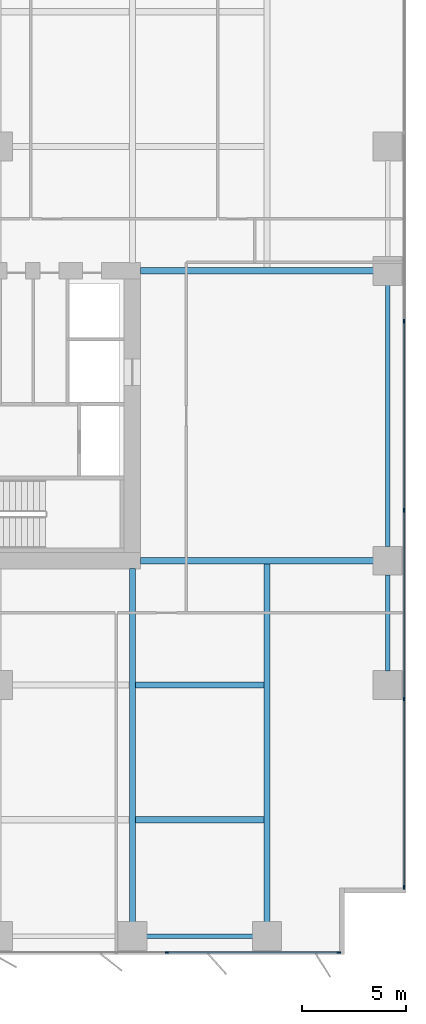
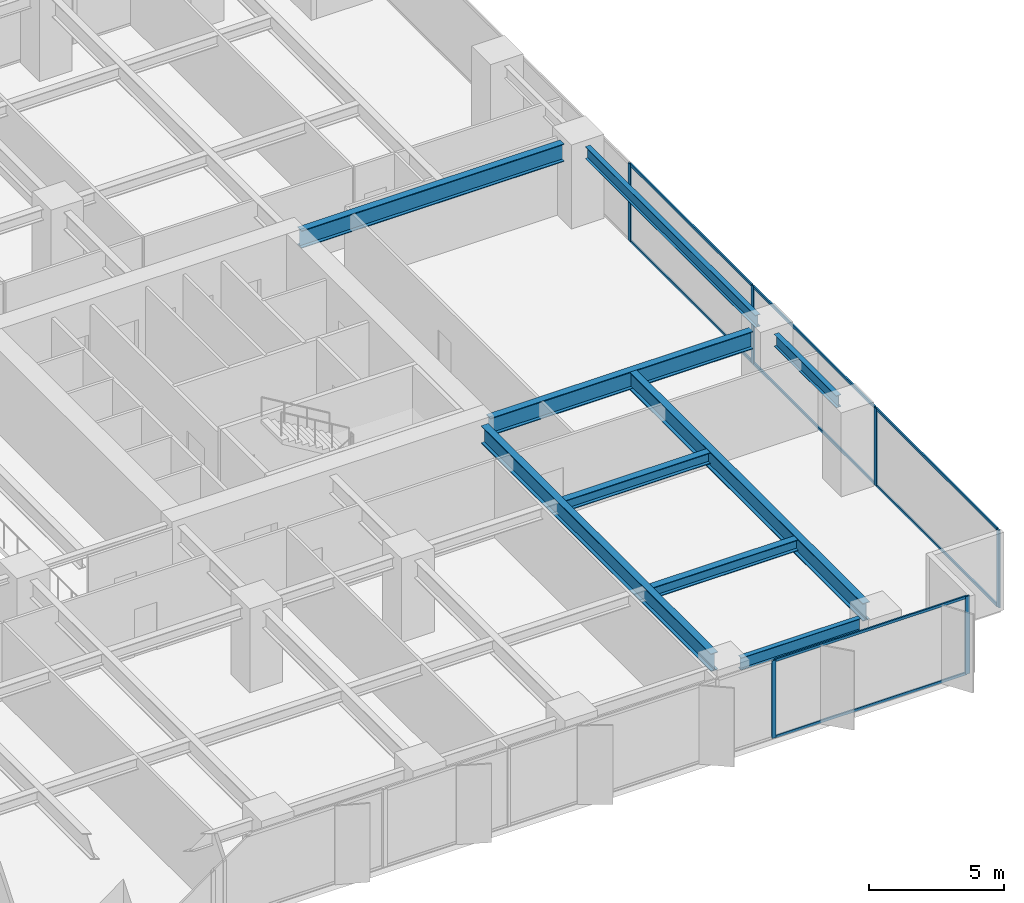
# One storey, part 10 of 20: 14 members, 9 beams, 2 elements without a shape of their own.
"""IFC4 building model written with IfcOpenShell, lengths in metres."""

from ifc_helpers import new_model, si_unit, direction, frame, origin, origin_2d, place, context, subcontext, project, spatial, rectangle, i_section, extrude, material, layer, layer_set, material_profile, profile_set, type_object, element, aggregate, save


model = new_model("IFC4")

# Units and contexts
model_context = context("Model", 3, precision=1e-05, world=origin(), true_north=direction((0.0, 1.0)))
body_context = subcontext(model_context, "Body", "Model", "MODEL_VIEW")
ifc_project = project(units=[si_unit("LENGTHUNIT", "METRE"), si_unit("AREAUNIT", "SQUARE_METRE"), si_unit("VOLUMEUNIT", "CUBIC_METRE"), si_unit("PLANEANGLEUNIT", "RADIAN"), si_unit("MASSUNIT", "GRAM", prefix="KILO")], contexts=[model_context])

# Site, building, storey
site_placement = place(None, origin())
site = spatial("IfcSite", under=ifc_project, at=site_placement, CompositionType="ELEMENT")
building_placement = place(site_placement, origin())
building = spatial("IfcBuilding", under=site, at=building_placement, Name="Putna Gate Headquarters", CompositionType="ELEMENT")
storey_placement = place(building_placement, frame((0.0, 0.0, 77.199951171875)))
storey = spatial("IfcBuildingStorey", under=building, at=storey_placement, Name="L18", CompositionType="ELEMENT", Elevation=77.199951171875)

# Beams
ifc_material_1 = material(Name="Steel S355J2", Category="steel")
ifc_material_profile_1 = material_profile(ifc_material_1, i_section(OverallWidth=0.300048828125, OverallDepth=0.800048828125, WebThickness=0.017578125, FlangeThickness=0.032958984375, at=origin_2d()), Name="Steel S355J2")
ifc_profile_set_1 = profile_set([ifc_material_profile_1], Name="Steel S355J2")
beam_type_1 = type_object("IfcBeamType", Name="BM-GIRD-P-HEB800", PredefinedType="USERDEFINED", material=ifc_profile_set_1)
for number, where, z_axis, x_axis, name in (
    (1, (65.385009765625, 19.0, 3.1201171875), (1.0, 0.0, 0.0), (0.0, 1.0, 0.0), "L18 East Wing Girder Y19"),
    (2, (65.385009765625, 33.0, 3.1201171875), (1.0, 0.0, 0.0), (0.0, 1.0, 0.0), "L18 East Wing Girder Y33"),
):
    element("IfcBeam", number, at=place(storey_placement, frame(where, z_axis=z_axis, x_axis=x_axis)), inside=storey, type_object=beam_type_1, Name=name, ObjectType="GIRDER", PredefinedType="USERDEFINED", context=body_context, shape_type="SweptSolid", body=[
        extrude(i_section(OverallWidth=0.300048828125, OverallDepth=0.800048828125, WebThickness=0.017578125, FlangeThickness=0.032958984375, at=origin_2d()), origin(), (0.0, 0.0, 1.0), 11.2470703125),
    ])
beam_1_placement = place(storey_placement, frame((65.0, 1.568115234375, 3.1201171875), z_axis=(0.0, 1.0, 0.0), x_axis=(-1.0, 0.0, 0.0)))
element("IfcBeam", 3, at=beam_1_placement, inside=storey, type_object=beam_type_1, Name="L18 South Primary Girder X65", ObjectType="GIRDER", PredefinedType="USERDEFINED", context=body_context, shape_type="SweptSolid", body=[
    extrude(i_section(OverallWidth=0.300048828125, OverallDepth=0.800048828125, WebThickness=0.017578125, FlangeThickness=0.032958984375, at=origin_2d()), origin(), (0.0, 0.0, 1.0), 17.046875),
])
beam_2_placement = place(storey_placement, frame((71.5, 1.568115234375, 3.1201171875), z_axis=(0.0, 1.0, 0.0), x_axis=(-1.0, 0.0, 0.0)))
element("IfcBeam", 4, at=beam_2_placement, inside=storey, type_object=beam_type_1, Name="L18 South Primary Girder X71", ObjectType="GIRDER", PredefinedType="USERDEFINED", context=body_context, shape_type="SweptSolid", body=[
    extrude(i_section(OverallWidth=0.300048828125, OverallDepth=0.800048828125, WebThickness=0.017578125, FlangeThickness=0.032958984375, at=origin_2d()), origin(), (0.0, 0.0, 1.0), 17.419921875),
])
ifc_material_profile_2 = material_profile(ifc_material_1, i_section(OverallWidth=0.300048828125, OverallDepth=0.5, WebThickness=0.014404296875, FlangeThickness=0.028076171875, at=origin_2d()), Name="Steel S355J2")
ifc_profile_set_2 = profile_set([ifc_material_profile_2], Name="Steel S355J2")
beam_type_2 = type_object("IfcBeamType", Name="BM-GIRD-Z4-HEB500", PredefinedType="USERDEFINED", material=ifc_profile_set_2)
for number, where, z_axis, x_axis, name in (
    (5, (65.154052734375, 6.5, 3.27001953125), (1.0, 0.0, 0.0), (0.0, 1.0, 0.0), "L18 South Secondary Beam 10"),
    (6, (65.154052734375, 13.0, 3.27001953125), (1.0, 0.0, 0.0), (0.0, 1.0, 0.0), "L18 South Secondary Beam 10"),
):
    element("IfcBeam", number, at=place(storey_placement, frame(where, z_axis=z_axis, x_axis=x_axis)), inside=storey, type_object=beam_type_2, Name=name, ObjectType="GIRDER", PredefinedType="USERDEFINED", context=body_context, shape_type="SweptSolid", body=[
        extrude(i_section(OverallWidth=0.300048828125, OverallDepth=0.5, WebThickness=0.014404296875, FlangeThickness=0.028076171875, at=origin_2d()), origin(), (0.0, 0.0, 1.0), 6.19189453125),
    ])
ifc_material_profile_3 = material_profile(ifc_material_1, i_section(OverallWidth=0.2099609375, OverallDepth=0.550048828125, WebThickness=0.010986328125, FlangeThickness=0.01708984375, at=origin_2d()), Name="Steel S355J2")
ifc_profile_set_3 = profile_set([ifc_material_profile_3], Name="Steel S355J2")
beam_type_3 = type_object("IfcBeamType", Name="BM-SPAN-Z1-IPE550", PredefinedType="SPANDREL", material=ifc_profile_set_3)
beam_3_placement = place(storey_placement, frame((65.68798828125, 0.8798828125, 3.2451171875), z_axis=(1.0, 0.0, 0.0), x_axis=(0.0, 1.0, 0.0)))
element("IfcBeam", 7, at=beam_3_placement, inside=storey, type_object=beam_type_3, Name="L18 S Perimeter Spandrel 10", PredefinedType="SPANDREL", context=body_context, shape_type="SweptSolid", body=[
    extrude(i_section(OverallWidth=0.2099609375, OverallDepth=0.550048828125, WebThickness=0.010986328125, FlangeThickness=0.01708984375, at=origin_2d()), origin(), (0.0, 0.0, 1.0), 5.1240234375),
])
beam_4_placement = place(storey_placement, frame((77.320068359375, 13.68798828125, 3.2451171875), z_axis=(0.0, 1.0, 0.0), x_axis=(-1.0, 0.0, 0.0)))
element("IfcBeam", 8, at=beam_4_placement, inside=storey, type_object=beam_type_3, Name="L18 E End Spandrel 1", PredefinedType="SPANDREL", context=body_context, shape_type="SweptSolid", body=[
    extrude(i_section(OverallWidth=0.2099609375, OverallDepth=0.550048828125, WebThickness=0.010986328125, FlangeThickness=0.01708984375, at=origin_2d()), origin(), (0.0, 0.0, 1.0), 4.6240234375),
])
beam_5_placement = place(storey_placement, frame((77.320068359375, 19.68798828125, 3.2451171875), z_axis=(0.0, 1.0, 0.0), x_axis=(-1.0, 0.0, 0.0)))
element("IfcBeam", 9, at=beam_5_placement, inside=storey, type_object=beam_type_3, Name="L18 E End Spandrel 2", PredefinedType="SPANDREL", context=body_context, shape_type="SweptSolid", body=[
    extrude(i_section(OverallWidth=0.2099609375, OverallDepth=0.550048828125, WebThickness=0.010986328125, FlangeThickness=0.01708984375, at=origin_2d()), origin(), (0.0, 0.0, 1.0), 12.6240234375),
])

# Curtain wall, members
ifc_material_2 = material(Name="Anodised bronze aluminium curtain wall", Category="aluminium")
ifc_layer = layer(ifc_material_2, 0.179931640625)
ifc_layer_set = layer_set([ifc_layer], Name="Anodised bronze aluminium curtain wall")
curtain_wall_type = type_object("IfcCurtainWallType", Name="CW-SYS-Z1", PredefinedType="USERDEFINED", material=ifc_layer_set)
curtain_wall_1_placement = place(storey_placement, origin())
curtain_wall_1 = element("IfcCurtainWall", 10, at=curtain_wall_1_placement, inside=storey, type_object=curtain_wall_type, Name="L18 South East Curtain Wall", ObjectType="STICK CURTAIN WALL", PredefinedType="USERDEFINED")
ifc_material_3 = material(Name="Anodised bronze aluminium EN AW-6060", Category="aluminium")
ifc_material_profile_4 = material_profile(ifc_material_3, rectangle(XDim=0.070068359375, YDim=0.179931640625, at=origin_2d()), Name="Anodised bronze aluminium EN AW-6060")
ifc_profile_set_4 = profile_set([ifc_material_profile_4], Name="Anodised bronze aluminium EN AW-6060")
member_type_1 = type_object("IfcMemberType", Name="MULL-CWM-1", PredefinedType="MULLION", material=ifc_profile_set_4)
member_1_placement = place(storey_placement, frame((66.666748046875, 0.080078125, 0.0), z_axis=(0.0, 0.0, 1.0), x_axis=(0.0, 1.0, 0.0)))
member_1 = element("IfcMember", 11, at=member_1_placement, type_object=member_type_1, Name="CWS-1 mullion 3", PredefinedType="MULLION", context=body_context, shape_type="SweptSolid", body=[
    extrude(rectangle(XDim=0.070068359375, YDim=0.179931640625, at=origin_2d()), origin(), (0.0, 0.0, 1.0), 3.52001953125),
])
member_2_placement = place(storey_placement, frame((74.965087890625, 0.080078125, 0.0), z_axis=(0.0, 0.0, 1.0), x_axis=(0.0, 1.0, 0.0)))
member_2 = element("IfcMember", 12, at=member_2_placement, type_object=member_type_1, Name="CWS-1 mullion 4", PredefinedType="MULLION", context=body_context, shape_type="SweptSolid", body=[
    extrude(rectangle(XDim=0.070068359375, YDim=0.179931640625, at=origin_2d()), origin(), (0.0, 0.0, 1.0), 3.52001953125),
])

curtain_wall_2_placement = place(storey_placement, origin())
curtain_wall_2 = element("IfcCurtainWall", 13, at=curtain_wall_2_placement, inside=storey, type_object=curtain_wall_type, Name="L18 East Curtain Wall", ObjectType="STICK CURTAIN WALL", PredefinedType="USERDEFINED")
member_3_placement = place(storey_placement, frame((78.1201171875, 3.235107421875, 0.0), z_axis=(0.0, 0.0, 1.0), x_axis=(-1.0, 0.0, 0.0)))
member_3 = element("IfcMember", 14, at=member_3_placement, type_object=member_type_1, Name="CWS-1 mullion 1", PredefinedType="MULLION", context=body_context, shape_type="SweptSolid", body=[
    extrude(rectangle(XDim=0.070068359375, YDim=0.179931640625, at=origin_2d()), origin(), (0.0, 0.0, 1.0), 3.52001953125),
])
member_4_placement = place(storey_placement, frame((78.1201171875, 12.320068359375, 0.0), z_axis=(0.0, 0.0, 1.0), x_axis=(-1.0, 0.0, 0.0)))
member_4 = element("IfcMember", 15, at=member_4_placement, type_object=member_type_1, Name="CWS-1 mullion 2", PredefinedType="MULLION", context=body_context, shape_type="SweptSolid", body=[
    extrude(rectangle(XDim=0.070068359375, YDim=0.179931640625, at=origin_2d()), origin(), (0.0, 0.0, 1.0), 3.52001953125),
])
member_5_placement = place(storey_placement, frame((78.1201171875, 21.43994140625, 0.0), z_axis=(0.0, 0.0, 1.0), x_axis=(-1.0, 0.0, 0.0)))
member_5 = element("IfcMember", 16, at=member_5_placement, type_object=member_type_1, Name="CWS-1 mullion 3", PredefinedType="MULLION", context=body_context, shape_type="SweptSolid", body=[
    extrude(rectangle(XDim=0.070068359375, YDim=0.179931640625, at=origin_2d()), origin(), (0.0, 0.0, 1.0), 3.52001953125),
])
member_6_placement = place(storey_placement, frame((78.1201171875, 30.56005859375, 0.0), z_axis=(0.0, 0.0, 1.0), x_axis=(-1.0, 0.0, 0.0)))
member_6 = element("IfcMember", 17, at=member_6_placement, type_object=member_type_1, Name="CWS-1 mullion 4", PredefinedType="MULLION", context=body_context, shape_type="SweptSolid", body=[
    extrude(rectangle(XDim=0.070068359375, YDim=0.179931640625, at=origin_2d()), origin(), (0.0, 0.0, 1.0), 3.52001953125),
])

# Member
ifc_material_profile_5 = material_profile(ifc_material_3, rectangle(XDim=0.06494140625, YDim=0.1201171875, at=origin_2d()), Name="Anodised bronze aluminium EN AW-6060")
ifc_profile_set_5 = profile_set([ifc_material_profile_5], Name="Anodised bronze aluminium EN AW-6060")
member_type_2 = type_object("IfcMemberType", Name="TRAN-CWT-1", PredefinedType="USERDEFINED", material=ifc_profile_set_5)
member_7_placement = place(storey_placement, frame((66.70166015625, 0.080078125, 0.032470703125), z_axis=(1.0, 0.0, 0.0), x_axis=(0.0, 1.0, 0.0)))
member_7 = element("IfcMember", 18, at=member_7_placement, type_object=member_type_2, Name="CWS-1 transom 3.1", ObjectType="TRANSOM", PredefinedType="USERDEFINED", context=body_context, shape_type="SweptSolid", body=[
    extrude(rectangle(XDim=0.06494140625, YDim=0.1201171875, at=origin_2d()), origin(), (0.0, 0.0, 1.0), 8.228271484375),
])

member_8_placement = place(storey_placement, frame((66.70166015625, 0.080078125, 3.487548828125), z_axis=(1.0, 0.0, 0.0), x_axis=(0.0, 1.0, 0.0)))
member_8 = element("IfcMember", 19, at=member_8_placement, type_object=member_type_2, Name="CWS-1 transom 3.2", ObjectType="TRANSOM", PredefinedType="USERDEFINED", context=body_context, shape_type="SweptSolid", body=[
    extrude(rectangle(XDim=0.06494140625, YDim=0.1201171875, at=origin_2d()), origin(), (0.0, 0.0, 1.0), 8.228271484375),
])

aggregate(curtain_wall_1, [member_1, member_2, member_7, member_8])

member_9_placement = place(storey_placement, frame((78.1201171875, 3.27001953125, 0.032470703125), z_axis=(0.0, 1.0, 0.0), x_axis=(-1.0, 0.0, 0.0)))
member_9 = element("IfcMember", 20, at=member_9_placement, type_object=member_type_2, Name="CWS-1 transom 1.1", ObjectType="TRANSOM", PredefinedType="USERDEFINED", context=body_context, shape_type="SweptSolid", body=[
    extrude(rectangle(XDim=0.06494140625, YDim=0.1201171875, at=origin_2d()), origin(), (0.0, 0.0, 1.0), 9.014892578125),
])

member_10_placement = place(storey_placement, frame((78.1201171875, 3.27001953125, 3.487548828125), z_axis=(0.0, 1.0, 0.0), x_axis=(-1.0, 0.0, 0.0)))
member_10 = element("IfcMember", 21, at=member_10_placement, type_object=member_type_2, Name="CWS-1 transom 1.2", ObjectType="TRANSOM", PredefinedType="USERDEFINED", context=body_context, shape_type="SweptSolid", body=[
    extrude(rectangle(XDim=0.06494140625, YDim=0.1201171875, at=origin_2d()), origin(), (0.0, 0.0, 1.0), 9.014892578125),
])

member_11_placement = place(storey_placement, frame((78.1201171875, 12.35498046875, 0.032470703125), z_axis=(0.0, 1.0, 0.0), x_axis=(-1.0, 0.0, 0.0)))
member_11 = element("IfcMember", 22, at=member_11_placement, type_object=member_type_2, Name="CWS-1 transom 2.1", ObjectType="TRANSOM", PredefinedType="USERDEFINED", context=body_context, shape_type="SweptSolid", body=[
    extrude(rectangle(XDim=0.06494140625, YDim=0.1201171875, at=origin_2d()), origin(), (0.0, 0.0, 1.0), 9.050048828125),
])

member_12_placement = place(storey_placement, frame((78.1201171875, 12.35498046875, 3.487548828125), z_axis=(0.0, 1.0, 0.0), x_axis=(-1.0, 0.0, 0.0)))
member_12 = element("IfcMember", 23, at=member_12_placement, type_object=member_type_2, Name="CWS-1 transom 2.2", ObjectType="TRANSOM", PredefinedType="USERDEFINED", context=body_context, shape_type="SweptSolid", body=[
    extrude(rectangle(XDim=0.06494140625, YDim=0.1201171875, at=origin_2d()), origin(), (0.0, 0.0, 1.0), 9.050048828125),
])

member_13_placement = place(storey_placement, frame((78.1201171875, 21.47509765625, 0.032470703125), z_axis=(0.0, 1.0, 0.0), x_axis=(-1.0, 0.0, 0.0)))
member_13 = element("IfcMember", 24, at=member_13_placement, type_object=member_type_2, Name="CWS-1 transom 3.1", ObjectType="TRANSOM", PredefinedType="USERDEFINED", context=body_context, shape_type="SweptSolid", body=[
    extrude(rectangle(XDim=0.06494140625, YDim=0.1201171875, at=origin_2d()), origin(), (0.0, 0.0, 1.0), 9.0498046875),
])

member_14_placement = place(storey_placement, frame((78.1201171875, 21.47509765625, 3.487548828125), z_axis=(0.0, 1.0, 0.0), x_axis=(-1.0, 0.0, 0.0)))
member_14 = element("IfcMember", 25, at=member_14_placement, type_object=member_type_2, Name="CWS-1 transom 3.2", ObjectType="TRANSOM", PredefinedType="USERDEFINED", context=body_context, shape_type="SweptSolid", body=[
    extrude(rectangle(XDim=0.06494140625, YDim=0.1201171875, at=origin_2d()), origin(), (0.0, 0.0, 1.0), 9.0498046875),
])

aggregate(curtain_wall_2, [member_3, member_4, member_5, member_6, member_9, member_10, member_11, member_12, member_13, member_14])

save(model, "model.ifc")
